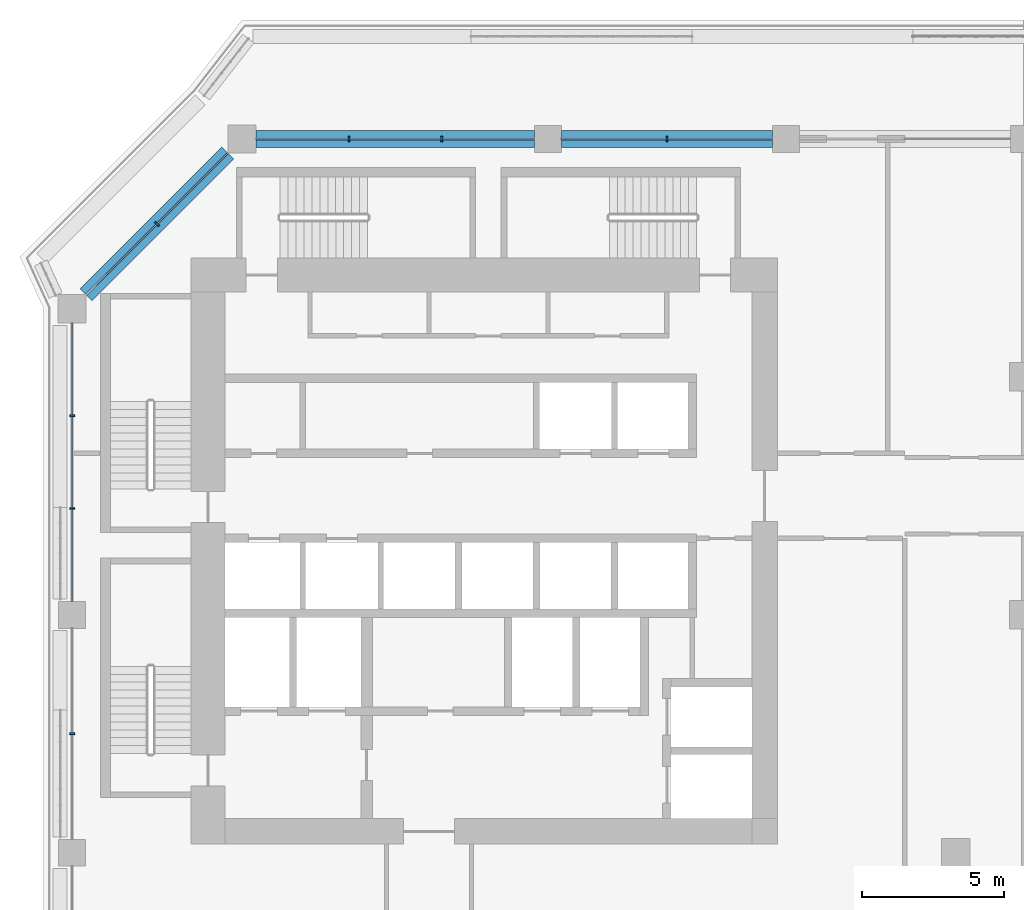
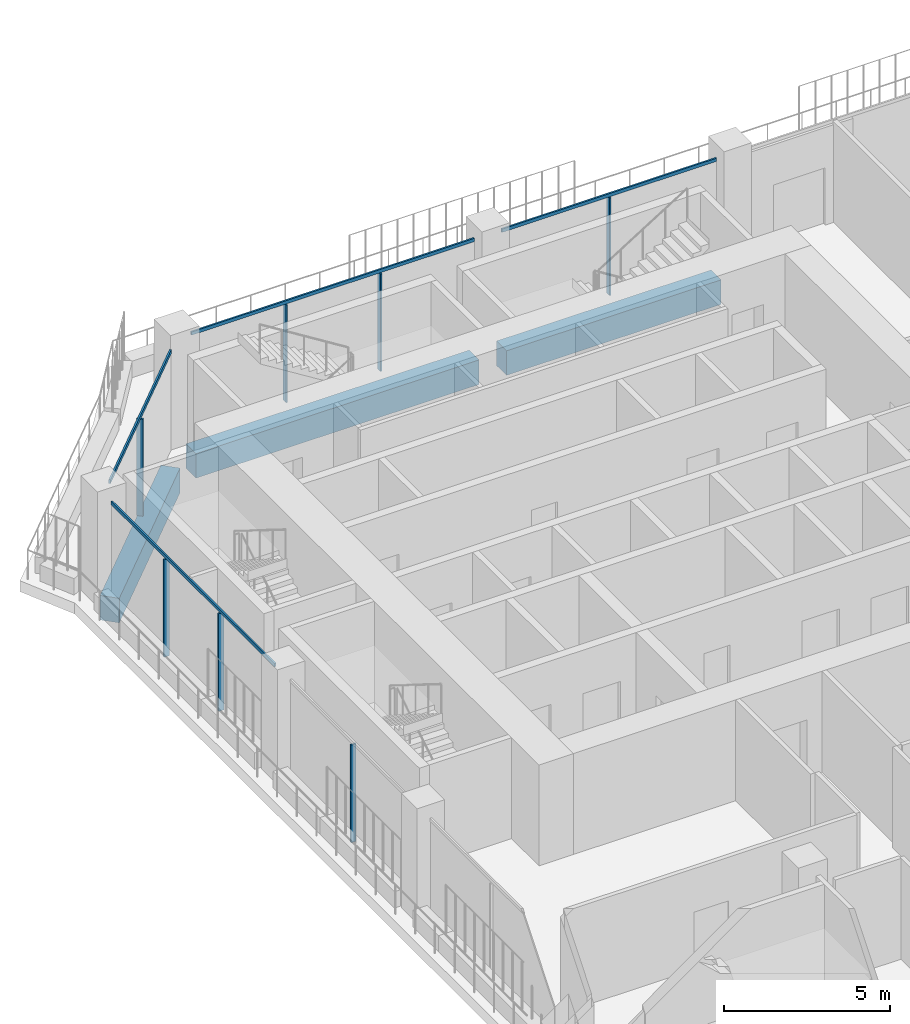
# One storey, part 5 of 22: 11 members, 3 beams, 3 elements without a shape of their own.
"""IFC4 building model written with IfcOpenShell, lengths in metres."""

from ifc_helpers import new_model, si_unit, direction, frame, origin, origin_2d, place, context, subcontext, project, spatial, rectangle, extrude, material, layer, layer_set, material_profile, profile_set, type_object, element, aggregate, save


model = new_model("IFC4")

# Units and contexts
model_context = context("Model", 3, precision=1e-05, world=origin(), true_north=direction((0.0, 1.0)))
body_context = subcontext(model_context, "Body", "Model", "MODEL_VIEW")
ifc_project = project(units=[si_unit("LENGTHUNIT", "METRE"), si_unit("AREAUNIT", "SQUARE_METRE"), si_unit("VOLUMEUNIT", "CUBIC_METRE"), si_unit("PLANEANGLEUNIT", "RADIAN"), si_unit("MASSUNIT", "GRAM", prefix="KILO")], contexts=[model_context])

# Site, building, storey
site_placement = place(None, origin())
site = spatial("IfcSite", under=ifc_project, at=site_placement, CompositionType="ELEMENT")
building_placement = place(site_placement, origin())
building = spatial("IfcBuilding", under=site, at=building_placement, Name="Kawkab Arch Medical Tower", CompositionType="ELEMENT")
storey_placement = place(building_placement, frame((0.0, 0.0, 208.800048828125)))
storey = spatial("IfcBuildingStorey", under=building, at=storey_placement, Name="L48", CompositionType="ELEMENT", Elevation=208.800048828125)

# Curtain wall, members
ifc_material_1 = material(Name="Bronze anodised aluminium curtain wall frame", Category="aluminium")
ifc_layer_1 = layer(ifc_material_1, 0.159912109375)
ifc_layer_set_1 = layer_set([ifc_layer_1], Name="Bronze anodised aluminium curtain wall frame")
curtain_wall_type_1 = type_object("IfcCurtainWallType", Name="CW1 ward curtain wall", PredefinedType="NOTDEFINED", material=ifc_layer_set_1)
placement = place(storey_placement, origin())
curtain_wall_1 = element("IfcCurtainWall", 1, at=placement, inside=storey, type_object=curtain_wall_type_1, Name="CW1 Ward curtain wall R01", PredefinedType="NOTDEFINED")
ifc_material_2 = material(Name="Bronze anodised aluminium curtain wall frame", Category="aluminium")
ifc_material_profile_1 = material_profile(ifc_material_2, rectangle(XDim=0.179931640625, YDim=0.06005859375, at=origin_2d()), Name="AL 60x180")
ifc_profile_set_1 = profile_set([ifc_material_profile_1], Name="Bronze anodised aluminium curtain wall frame")
member_type_1 = type_object("IfcMemberType", Name="CW1 mullion 60 x 180", PredefinedType="MULLION", material=ifc_profile_set_1)
member_1_placement = place(storey_placement, frame((0.0, -9.77490234375, 0.0), z_axis=(0.0, 0.0, 1.0), x_axis=(1.0, 0.0, 0.0)))
member_1 = element("IfcMember", 2, at=member_1_placement, type_object=member_type_1, Name="CW1 mullion 1.1", PredefinedType="MULLION", context=body_context, shape_type="SweptSolid", body=[
    extrude(rectangle(XDim=0.179931640625, YDim=0.06005859375, at=origin_2d()), origin(), (0.0, 0.0, 1.0), 3.579833984375),
])
member_2_placement = place(storey_placement, frame((0.0, -13.050048828125, 0.0), z_axis=(0.0, 0.0, 1.0), x_axis=(1.0, 0.0, 0.0)))
member_2 = element("IfcMember", 3, at=member_2_placement, type_object=member_type_1, Name="CW1 mullion 1.2", PredefinedType="MULLION", context=body_context, shape_type="SweptSolid", body=[
    extrude(rectangle(XDim=0.179931640625, YDim=0.06005859375, at=origin_2d()), origin(), (0.0, 0.0, 1.0), 3.579833984375),
])
member_3_placement = place(storey_placement, frame((0.0, -21.0, 0.0), z_axis=(0.0, 0.0, 1.0), x_axis=(1.0, 0.0, 0.0)))
member_3 = element("IfcMember", 4, at=member_3_placement, type_object=member_type_1, Name="CW1 mullion 2.1", PredefinedType="MULLION", context=body_context, shape_type="SweptSolid", body=[
    extrude(rectangle(XDim=0.179931640625, YDim=0.06005859375, at=origin_2d()), origin(), (0.0, 0.0, 1.0), 3.579833984375),
])

curtain_wall_2 = element("IfcCurtainWall", 5, at=placement, inside=storey, type_object=curtain_wall_type_1, Name="CW1 Ward curtain wall R11", PredefinedType="NOTDEFINED")
member_4_placement = place(storey_placement, frame((21.0, 0.0, 0.0), z_axis=(0.0, 0.0, 1.0), x_axis=(0.0, -1.0, 0.0)))
member_4 = element("IfcMember", 6, at=member_4_placement, type_object=member_type_1, Name="CW1 mullion 5.1", PredefinedType="MULLION", context=body_context, shape_type="SweptSolid", body=[
    extrude(rectangle(XDim=0.179931640625, YDim=0.06005859375, at=origin_2d()), origin(), (0.0, 0.0, 1.0), 3.579833984375),
])
member_5_placement = place(storey_placement, frame((13.050048828125, 0.0, 0.0), z_axis=(0.0, 0.0, 1.0), x_axis=(0.0, -1.0, 0.0)))
member_5 = element("IfcMember", 7, at=member_5_placement, type_object=member_type_1, Name="CW1 mullion 6.1", PredefinedType="MULLION", context=body_context, shape_type="SweptSolid", body=[
    extrude(rectangle(XDim=0.179931640625, YDim=0.06005859375, at=origin_2d()), origin(), (0.0, 0.0, 1.0), 3.579833984375),
])
member_6_placement = place(storey_placement, frame((9.77490234375, 0.0, 0.0), z_axis=(0.0, 0.0, 1.0), x_axis=(0.0, -1.0, 0.0)))
member_6 = element("IfcMember", 8, at=member_6_placement, type_object=member_type_1, Name="CW1 mullion 6.2", PredefinedType="MULLION", context=body_context, shape_type="SweptSolid", body=[
    extrude(rectangle(XDim=0.179931640625, YDim=0.06005859375, at=origin_2d()), origin(), (0.0, 0.0, 1.0), 3.579833984375),
])

# Member
ifc_material_3 = material(Name="Bronze anodised aluminium curtain wall frame", Category="aluminium")
ifc_material_profile_2 = material_profile(ifc_material_3, rectangle(XDim=0.06005859375, YDim=0.1201171875, at=origin_2d()), Name="AL 60x120")
ifc_profile_set_2 = profile_set([ifc_material_profile_2], Name="Bronze anodised aluminium curtain wall frame")
member_type_2 = type_object("IfcMemberType", Name="CW1 transom 120 x 60", PredefinedType="USERDEFINED", material=ifc_profile_set_2)
member_7_placement = place(storey_placement, frame((0.0, -6.5, 3.639892578125), z_axis=(0.0, -1.0, 0.0), x_axis=(1.0, 0.0, 0.0)))
member_7 = element("IfcMember", 9, at=member_7_placement, type_object=member_type_2, Name="CW1 transom 1", ObjectType="TRANSOM", PredefinedType="USERDEFINED", context=body_context, shape_type="SweptSolid", body=[
    extrude(rectangle(XDim=0.06005859375, YDim=0.1201171875, at=origin_2d()), origin(), (0.0, 0.0, 1.0), 9.824951171875),
])

aggregate(curtain_wall_1, [member_7, member_1, member_2, member_3])

member_8_placement = place(storey_placement, frame((24.72509765625, 0.0, 3.639892578125), z_axis=(-1.0, 0.0, 0.0), x_axis=(0.0, -1.0, 0.0)))
member_8 = element("IfcMember", 10, at=member_8_placement, type_object=member_type_2, Name="CW1 transom 5", ObjectType="TRANSOM", PredefinedType="USERDEFINED", context=body_context, shape_type="SweptSolid", body=[
    extrude(rectangle(XDim=0.06005859375, YDim=0.1201171875, at=origin_2d()), origin(), (0.0, 0.0, 1.0), 7.4501953125),
])

member_9_placement = place(storey_placement, frame((16.324951171875, 0.0, 3.639892578125), z_axis=(-1.0, 0.0, 0.0), x_axis=(0.0, -1.0, 0.0)))
member_9 = element("IfcMember", 11, at=member_9_placement, type_object=member_type_2, Name="CW1 transom 6", ObjectType="TRANSOM", PredefinedType="USERDEFINED", context=body_context, shape_type="SweptSolid", body=[
    extrude(rectangle(XDim=0.06005859375, YDim=0.1201171875, at=origin_2d()), origin(), (0.0, 0.0, 1.0), 9.824951171875),
])

aggregate(curtain_wall_2, [member_8, member_4, member_9, member_5, member_6])

# Curtain wall, members
ifc_material_4 = material(Name="Bronze anodised aluminium curtain wall frame", Category="aluminium")
ifc_layer_2 = layer(ifc_material_4, 0.159912109375)
ifc_layer_set_2 = layer_set([ifc_layer_2], Name="Bronze anodised aluminium curtain wall frame")
curtain_wall_type_2 = type_object("IfcCurtainWallType", Name="CW2 chamfer curtain wall", PredefinedType="NOTDEFINED", material=ifc_layer_set_2)
curtain_wall_3 = element("IfcCurtainWall", 12, at=placement, inside=storey, type_object=curtain_wall_type_2, Name="CW2 Chamfer curtain wall R12", PredefinedType="NOTDEFINED")
ifc_material_5 = material(Name="Bronze anodised aluminium curtain wall frame", Category="aluminium")
ifc_material_profile_3 = material_profile(ifc_material_5, rectangle(XDim=0.199951171875, YDim=0.06005859375, at=origin_2d()), Name="AL 60x200")
ifc_profile_set_3 = profile_set([ifc_material_profile_3], Name="Bronze anodised aluminium curtain wall frame")
member_type_3 = type_object("IfcMemberType", Name="CW2 mullion 60 x 200", PredefinedType="MULLION", material=ifc_profile_set_3)
member_10_placement = place(storey_placement, frame((3.0, -3.0, 0.0), z_axis=(0.0, 0.0, 1.0), x_axis=(0.707106781187, -0.707106781187, 0.0)))
member_10 = element("IfcMember", 13, at=member_10_placement, type_object=member_type_3, Name="CW2 mullion 1.1", PredefinedType="MULLION", context=body_context, shape_type="SweptSolid", body=[
    extrude(rectangle(XDim=0.199951171875, YDim=0.06005859375, at=origin_2d()), origin(), (0.0, 0.0, 1.0), 3.56005859375),
])
ifc_material_6 = material(Name="Bronze anodised aluminium curtain wall frame", Category="aluminium")
ifc_material_profile_4 = material_profile(ifc_material_6, rectangle(XDim=0.06005859375, YDim=0.139892578125, at=origin_2d()), Name="AL 60x140")
ifc_profile_set_4 = profile_set([ifc_material_profile_4], Name="Bronze anodised aluminium curtain wall frame")
member_type_4 = type_object("IfcMemberType", Name="CW2 transom 140 x 60", PredefinedType="USERDEFINED", material=ifc_profile_set_4)
member_11_placement = place(storey_placement, frame((5.5, -0.5, 3.6298828125), z_axis=(-0.707106781187, -0.707106781187, 0.0), x_axis=(0.707106781187, -0.707106781187, 0.0)))
member_11 = element("IfcMember", 14, at=member_11_placement, type_object=member_type_4, Name="CW2 transom 1", ObjectType="TRANSOM", PredefinedType="USERDEFINED", context=body_context, shape_type="SweptSolid", body=[
    extrude(rectangle(XDim=0.06005859375, YDim=0.139892578125, at=origin_2d()), origin(), (0.0, 0.0, 1.0), 7.071044921875),
])
aggregate(curtain_wall_3, [member_11, member_10])

# Beams
ifc_material_7 = material(Name="Concrete C50/60", Category="concrete")
ifc_material_profile_5 = material_profile(ifc_material_7, rectangle(XDim=0.60009765625, YDim=0.89990234375, at=origin_2d()), Name="RC 600x900")
ifc_profile_set_5 = profile_set([ifc_material_profile_5], Name="Concrete C50/60")
beam_type = type_object("IfcBeamType", Name="RC 600x900 beam C50/60", PredefinedType="BEAM", material=ifc_profile_set_5)
beam_1_placement = place(storey_placement, frame((0.5, -5.5, -1.050048828125), z_axis=(0.707106781187, 0.707106781187, 0.0), x_axis=(-0.707106781187, 0.707106781187, 0.0)))
element("IfcBeam", 15, at=beam_1_placement, inside=storey, type_object=beam_type, Name="Overhang edge beam L48-01", PredefinedType="BEAM", context=body_context, shape_type="SweptSolid", body=[
    extrude(rectangle(XDim=0.60009765625, YDim=0.89990234375, at=origin_2d()), origin(), (0.0, 0.0, 1.0), 7.071044921875),
])
beam_2_placement = place(storey_placement, frame((6.5, 0.0, -1.050048828125), z_axis=(1.0, 0.0, 0.0), x_axis=(0.0, 1.0, 0.0)))
element("IfcBeam", 16, at=beam_2_placement, inside=storey, type_object=beam_type, Name="Overhang edge beam L48-02", PredefinedType="BEAM", context=body_context, shape_type="SweptSolid", body=[
    extrude(rectangle(XDim=0.60009765625, YDim=0.89990234375, at=origin_2d()), origin(), (0.0, 0.0, 1.0), 9.824951171875),
])
beam_3_placement = place(storey_placement, frame((17.27490234375, 0.0, -1.050048828125), z_axis=(1.0, 0.0, 0.0), x_axis=(0.0, 1.0, 0.0)))
element("IfcBeam", 17, at=beam_3_placement, inside=storey, type_object=beam_type, Name="Overhang edge beam L48-03", PredefinedType="BEAM", context=body_context, shape_type="SweptSolid", body=[
    extrude(rectangle(XDim=0.60009765625, YDim=0.89990234375, at=origin_2d()), origin(), (0.0, 0.0, 1.0), 7.4501953125),
])

save(model, "model.ifc")
